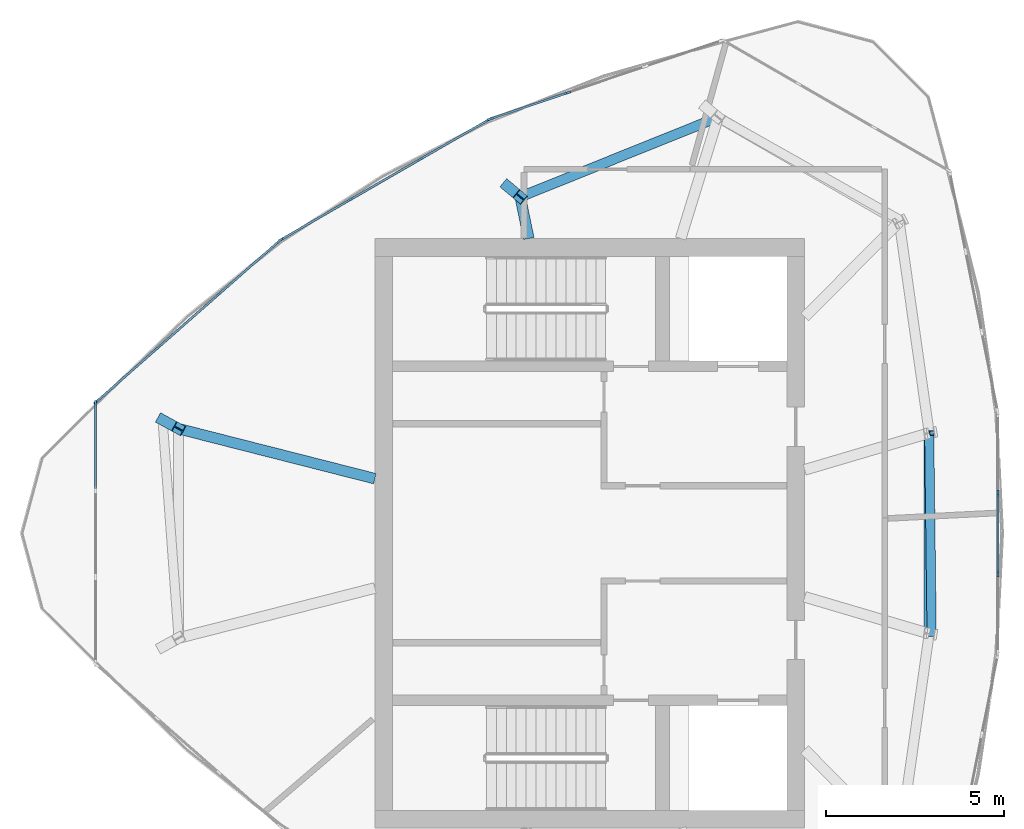
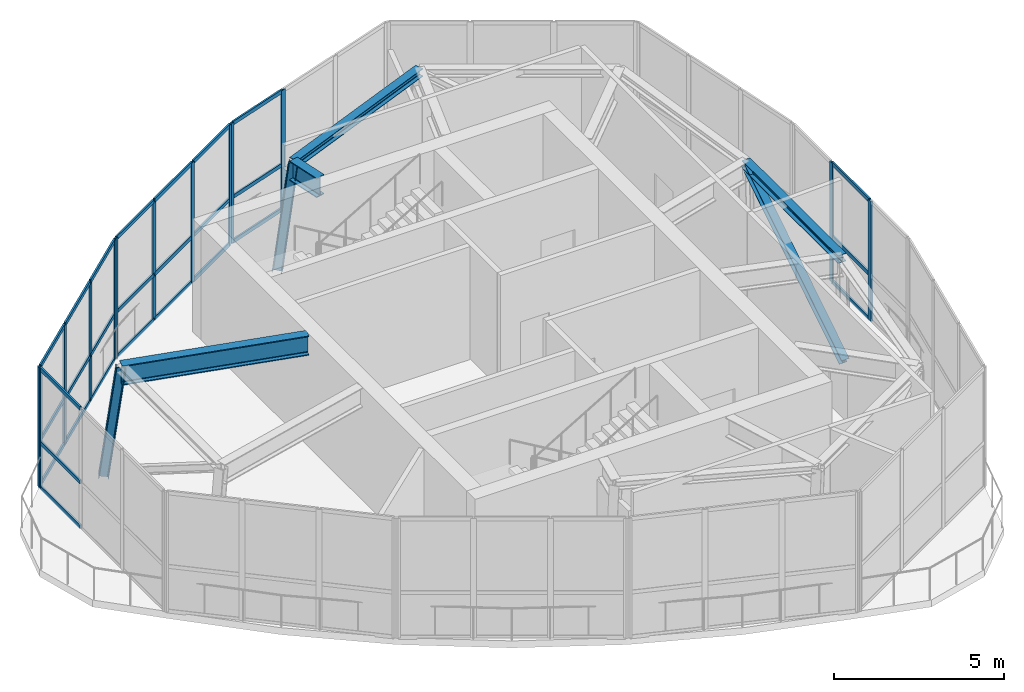
# One storey, part 3 of 10: 45 members, 2 beams, 5 elements without a shape of their own.
"""IFC4 building model written with IfcOpenShell, lengths in metres."""

from ifc_helpers import new_model, si_unit, direction, frame, origin, origin_2d, place, context, subcontext, project, spatial, rectangle, i_section, extrude, source, transform, mapped, material, layer, layer_set, material_profile, profile_set, type_object, element, aggregate, save


model = new_model("IFC4")

# Units and contexts
model_context = context("Model", 3, precision=1e-05, world=origin(), true_north=direction((0.0, 1.0)))
body_context = subcontext(model_context, "Body", "Model", "MODEL_VIEW")
ifc_project = project(units=[si_unit("LENGTHUNIT", "METRE"), si_unit("AREAUNIT", "SQUARE_METRE"), si_unit("VOLUMEUNIT", "CUBIC_METRE"), si_unit("PLANEANGLEUNIT", "RADIAN"), si_unit("MASSUNIT", "GRAM", prefix="KILO")], contexts=[model_context])

# Site, building, storey
site_placement = place(None, origin())
site = spatial("IfcSite", under=ifc_project, at=site_placement, CompositionType="ELEMENT")
building_placement = place(site_placement, origin())
building = spatial("IfcBuilding", under=site, at=building_placement, Name="Qafzar Sky-Pleat Residences", CompositionType="ELEMENT")
storey_placement = place(building_placement, frame((0.0, 0.0, 270.39990234375)))
storey = spatial("IfcBuildingStorey", under=building, at=storey_placement, Name="L80 Crown", CompositionType="ELEMENT", Elevation=270.39990234375)

# Members
ifc_material_1 = material(Name="Steel S460", Category="steel")
ifc_material_profile_1 = material_profile(ifc_material_1, i_section(OverallWidth=0.300048828125, OverallDepth=0.300048828125, WebThickness=0.010986328125, FlangeThickness=0.01904296875, FilletRadius=0.027099609375, at=origin_2d()), Name="HEB 300")
ifc_profile_set_1 = profile_set([ifc_material_profile_1], Name="Steel S460")
member_type_1 = type_object("IfcMemberType", Name="MEM-CROWN-RIB", PredefinedType="CHORD", material=ifc_profile_set_1)
shared_shape_1 = source(origin(), body_context, "Body", "SweptSolid", [
    extrude(i_section(OverallWidth=0.300048828125, OverallDepth=0.300048828125, WebThickness=0.010986328125, FlangeThickness=0.01904296875, FilletRadius=0.027099609375, at=origin_2d()), origin(), (0.0, 0.0, 1.0), 3.929931640625),
])
member_1_placement = place(storey_placement, frame((18.325927734375, 29.192626953125, 0.0), z_axis=(0.114989295825, -0.063178883768, 0.991355582267), x_axis=(0.481537005697, 0.876425759631, 0.0)))
element("IfcMember", 1, at=member_1_placement, inside=storey, type_object=member_type_1, Name="L80 Crown CROWN FRAME Inclined Rib 1", PredefinedType="CHORD", context=body_context, shape_type="MappedRepresentation", body=[
    mapped(shared_shape_1, transform((0.0, 0.0, 0.0), x_axis=(1.0, 0.0, 0.0), y_axis=(0.0, 1.0, 0.0), z_axis=(0.0, 0.0, 1.0), scale=1.0)),
])
shared_shape_2 = source(origin(), body_context, "Body", "SweptSolid", [
    extrude(i_section(OverallWidth=0.300048828125, OverallDepth=0.300048828125, WebThickness=0.010986328125, FlangeThickness=0.01904296875, FilletRadius=0.027099609375, at=origin_2d()), origin(), (0.0, 0.0, 1.0), 3.924560546875),
])
member_2_placement = place(storey_placement, frame((28.029541015625, 35.773193359375, 0.0), z_axis=(0.092503281435, -0.077200115844, 0.992715107691), x_axis=(0.640742862773, 0.767755549511, 0.0)))
element("IfcMember", 2, at=member_2_placement, inside=storey, type_object=member_type_1, Name="L80 Crown CROWN FRAME Inclined Rib 11", PredefinedType="CHORD", context=body_context, shape_type="MappedRepresentation", body=[
    mapped(shared_shape_2, transform((0.0, 0.0, 0.0), x_axis=(1.0, 0.0, 0.0), y_axis=(0.0, 1.0, 0.0), z_axis=(0.0, 0.0, 1.0), scale=1.0)),
])
ifc_material_2 = material(Name="Steel S355", Category="steel")
ifc_material_profile_2 = material_profile(ifc_material_2, i_section(OverallWidth=0.280029296875, OverallDepth=0.280029296875, WebThickness=0.010498046875, FlangeThickness=0.01806640625, FilletRadius=0.02392578125, at=origin_2d()), Name="HEB 280")
ifc_profile_set_2 = profile_set([ifc_material_profile_2], Name="Steel S355")
member_type_2 = type_object("IfcMemberType", Name="MEM-CROWN-RING", PredefinedType="PURLIN", material=ifc_profile_set_2)
shared_shape_3 = source(origin(), body_context, "Body", "SweptSolid", [
    extrude(i_section(OverallWidth=0.280029296875, OverallDepth=0.280029296875, WebThickness=0.010498046875, FlangeThickness=0.01806640625, FilletRadius=0.02392578125, at=origin_2d()), origin(), (0.0, 0.0, 1.0), 6.00244140625),
])
member_3_placement = place(storey_placement, frame((33.961181640625, 37.710693359375, 3.906005859375), z_axis=(-0.927725846294, -0.373262312747, 0.0), x_axis=(0.373262312747, -0.927725846294, 0.0)))
element("IfcMember", 3, at=member_3_placement, inside=storey, type_object=member_type_2, Name="L80 Crown CROWN FRAME Ring Beam 10", PredefinedType="PURLIN", context=body_context, shape_type="MappedRepresentation", body=[
    mapped(shared_shape_3, transform((0.0, 0.0, 0.0), x_axis=(1.0, 0.0, 0.0), y_axis=(0.0, 1.0, 0.0), z_axis=(0.0, 0.0, 1.0), scale=1.0)),
])
shared_shape_4 = source(origin(), body_context, "Body", "SweptSolid", [
    extrude(i_section(OverallWidth=0.280029296875, OverallDepth=0.280029296875, WebThickness=0.010498046875, FlangeThickness=0.01806640625, FilletRadius=0.02392578125, at=origin_2d()), origin(), (0.0, 0.0, 1.0), 5.64697265625),
])
member_4_placement = place(storey_placement, frame((39.905029296875, 23.176513671875, 3.906005859375), z_axis=(0.0, 1.0, 0.0), x_axis=(-1.0, 0.0, 0.0)))
element("IfcMember", 4, at=member_4_placement, inside=storey, type_object=member_type_2, Name="L80 Crown CROWN FRAME Ring Beam 7", PredefinedType="PURLIN", context=body_context, shape_type="MappedRepresentation", body=[
    mapped(shared_shape_4, transform((0.0, 0.0, 0.0), x_axis=(1.0, 0.0, 0.0), y_axis=(0.0, 1.0, 0.0), z_axis=(0.0, 0.0, 1.0), scale=1.0)),
])
ifc_material_profile_3 = material_profile(ifc_material_2, i_section(OverallWidth=0.260009765625, OverallDepth=0.260009765625, WebThickness=0.010009765625, FlangeThickness=0.017578125, FilletRadius=0.02392578125, at=origin_2d()), Name="HEB 260")
ifc_profile_set_3 = profile_set([ifc_material_profile_3], Name="Steel S355")
member_type_3 = type_object("IfcMemberType", Name="MEM-CROWN-DIAG", PredefinedType="BRACE", material=ifc_profile_set_3)
shared_shape_5 = source(origin(), body_context, "Body", "SweptSolid", [
    extrude(i_section(OverallWidth=0.260009765625, OverallDepth=0.260009765625, WebThickness=0.010009765625, FlangeThickness=0.017578125, FilletRadius=0.02392578125, at=origin_2d()), origin(), (0.0, 0.0, 1.0), 6.76953125),
])
member_5_placement = place(storey_placement, frame((39.9736328125, 23.165283203125, 0.2001953125), z_axis=(-0.010134079004, 0.835827099596, 0.548899225745), x_axis=(-0.999926504999, -0.012123720569, 0.0)))
element("IfcMember", 5, at=member_5_placement, inside=storey, type_object=member_type_3, Name="L80 Crown CROWN FRAME Wind Brace 7", PredefinedType="BRACE", context=body_context, shape_type="MappedRepresentation", body=[
    mapped(shared_shape_5, transform((0.0, 0.0, 0.0), x_axis=(1.0, 0.0, 0.0), y_axis=(0.0, 1.0, 0.0), z_axis=(0.0, 0.0, 1.0), scale=1.0)),
])

# Beams
ifc_material_profile_4 = material_profile(ifc_material_1, i_section(OverallWidth=0.300048828125, OverallDepth=0.699951171875, WebThickness=0.01708984375, FlangeThickness=0.031982421875, FilletRadius=0.027099609375, at=origin_2d()), Name="HEB 700")
ifc_profile_set_4 = profile_set([ifc_material_profile_4], Name="Steel S460")
beam_type = type_object("IfcBeamType", Name="BM-CHORD-HEB700", PredefinedType="BEAM", material=ifc_profile_set_4)
shared_shape_6 = source(origin(), body_context, "Body", "SweptSolid", [
    extrude(i_section(OverallWidth=0.300048828125, OverallDepth=0.699951171875, WebThickness=0.01708984375, FlangeThickness=0.031982421875, FilletRadius=0.027099609375, at=origin_2d()), origin(), (0.0, 0.0, 1.0), 5.6982421875),
])
beam_1_placement = place(storey_placement, frame((18.77783203125, 28.9443359375, 3.697998046875), z_axis=(0.969123426461, -0.246576122697, 0.0), x_axis=(0.246576122697, 0.969123426461, 0.0)))
element("IfcBeam", 6, at=beam_1_placement, inside=storey, type_object=beam_type, Name="L81 Crown Crown Rib Base Transfer Beam 1", PredefinedType="BEAM", context=body_context, shape_type="MappedRepresentation", body=[
    mapped(shared_shape_6, transform((0.0, 0.0, 0.0), x_axis=(1.0, 0.0, 0.0), y_axis=(0.0, 1.0, 0.0), z_axis=(0.0, 0.0, 1.0), scale=1.0)),
])
shared_shape_7 = source(origin(), body_context, "Body", "SweptSolid", [
    extrude(i_section(OverallWidth=0.300048828125, OverallDepth=0.699951171875, WebThickness=0.01708984375, FlangeThickness=0.031982421875, FilletRadius=0.027099609375, at=origin_2d()), origin(), (0.0, 0.0, 1.0), 1.19482421875),
])
beam_2_placement = place(storey_placement, frame((28.392578125, 35.47021484375, 3.697998046875), z_axis=(0.202477234952, -0.979286969854, 0.0), x_axis=(0.979286969854, 0.202477234952, 0.0)))
element("IfcBeam", 7, at=beam_2_placement, inside=storey, type_object=beam_type, Name="L81 Crown Crown Rib Base Transfer Beam 11", PredefinedType="BEAM", context=body_context, shape_type="MappedRepresentation", body=[
    mapped(shared_shape_7, transform((0.0, 0.0, 0.0), x_axis=(1.0, 0.0, 0.0), y_axis=(0.0, 1.0, 0.0), z_axis=(0.0, 0.0, 1.0), scale=1.0)),
])

# Curtain wall, member
ifc_material_3 = material(Name="Anodised bronze aluminium framing", Category="aluminium")
ifc_layer = layer(ifc_material_3, 0.179931640625)
ifc_layer_set = layer_set([ifc_layer], Name="Anodised bronze aluminium framing")
curtain_wall_type = type_object("IfcCurtainWallType", Name="CW-SYS-06", PredefinedType="NOTDEFINED", material=ifc_layer_set)
curtain_wall_1_placement = place(storey_placement, origin())
curtain_wall_1 = element("IfcCurtainWall", 8, at=curtain_wall_1_placement, inside=storey, type_object=curtain_wall_type, Name="L80 Crown CW-06 Curtain Wall CW-CROWN-05-01", PredefinedType="NOTDEFINED")
ifc_material_4 = material(Name="Anodised bronze aluminium", Category="aluminium")
ifc_material_profile_5 = material_profile(ifc_material_4, rectangle(XDim=0.06005859375, YDim=0.179931640625, at=origin_2d()), Name="ALU MULLION 60x180")
ifc_profile_set_5 = profile_set([ifc_material_profile_5], Name="Anodised bronze aluminium")
member_type_4 = type_object("IfcMemberType", Name="CWM-06", PredefinedType="MULLION", material=ifc_profile_set_5)
shared_shape_8 = source(origin(), body_context, "Body", "SweptSolid", [
    extrude(rectangle(XDim=0.06005859375, YDim=0.179931640625, at=origin_2d()), origin(), (0.0, 0.0, 1.0), 4.300048828125),
])
member_6_placement = place(storey_placement, frame((16.438720703125, 29.653564453125, 0.0), z_axis=(0.0, 0.0, 1.0), x_axis=(1.0, 0.0, 0.0)))
member_6 = element("IfcMember", 9, at=member_6_placement, type_object=member_type_4, Name="CW-06 mullion 1", PredefinedType="MULLION", context=body_context, shape_type="MappedRepresentation", body=[
    mapped(shared_shape_8, transform((0.0, 0.0, 0.0), x_axis=(1.0, 0.0, 0.0), y_axis=(0.0, 1.0, 0.0), z_axis=(0.0, 0.0, 1.0), scale=1.0)),
])

# Curtain wall, members
curtain_wall_2_placement = place(storey_placement, origin())
curtain_wall_2 = element("IfcCurtainWall", 10, at=curtain_wall_2_placement, inside=storey, type_object=curtain_wall_type, Name="L80 Crown CW-06 Curtain Wall CW-CROWN-05-07", PredefinedType="NOTDEFINED")
member_7_placement = place(storey_placement, frame((41.840087890625, 24.866943359375, 0.0), z_axis=(0.0, 0.0, 1.0), x_axis=(-1.0, 0.0, 0.0)))
member_7 = element("IfcMember", 11, at=member_7_placement, type_object=member_type_4, Name="CW-06 mullion 2", PredefinedType="MULLION", context=body_context, shape_type="MappedRepresentation", body=[
    mapped(shared_shape_8, transform((0.0, 0.0, 0.0), x_axis=(1.0, 0.0, 0.0), y_axis=(0.0, 1.0, 0.0), z_axis=(0.0, 0.0, 1.0), scale=1.0)),
])
member_8_placement = place(storey_placement, frame((41.840087890625, 27.133056640625, 0.0), z_axis=(0.0, 0.0, 1.0), x_axis=(-1.0, 0.0, 0.0)))
member_8 = element("IfcMember", 12, at=member_8_placement, type_object=member_type_4, Name="CW-06 mullion 3", PredefinedType="MULLION", context=body_context, shape_type="MappedRepresentation", body=[
    mapped(shared_shape_8, transform((0.0, 0.0, 0.0), x_axis=(1.0, 0.0, 0.0), y_axis=(0.0, 1.0, 0.0), z_axis=(0.0, 0.0, 1.0), scale=1.0)),
])

curtain_wall_3_placement = place(storey_placement, origin())
curtain_wall_3 = element("IfcCurtainWall", 13, at=curtain_wall_3_placement, inside=storey, type_object=curtain_wall_type, Name="L80 Crown CW-06 Curtain Wall CW-CROWN-05-10", PredefinedType="NOTDEFINED")
member_9_placement = place(storey_placement, frame((29.722412109375, 38.3994140625, 0.0), z_axis=(0.0, 0.0, 1.0), x_axis=(0.320439473508, -0.947268992324, 0.0)))
member_9 = element("IfcMember", 14, at=member_9_placement, type_object=member_type_4, Name="CW-06 mullion 3", PredefinedType="MULLION", context=body_context, shape_type="MappedRepresentation", body=[
    mapped(shared_shape_8, transform((0.0, 0.0, 0.0), x_axis=(1.0, 0.0, 0.0), y_axis=(0.0, 1.0, 0.0), z_axis=(0.0, 0.0, 1.0), scale=1.0)),
])
member_10_placement = place(storey_placement, frame((27.56201171875, 37.668701171875, 0.0), z_axis=(0.0, 0.0, 1.0), x_axis=(0.320439473508, -0.947268992324, 0.0)))
member_10 = element("IfcMember", 15, at=member_10_placement, type_object=member_type_4, Name="CW-06 mullion 4", PredefinedType="MULLION", context=body_context, shape_type="MappedRepresentation", body=[
    mapped(shared_shape_8, transform((0.0, 0.0, 0.0), x_axis=(1.0, 0.0, 0.0), y_axis=(0.0, 1.0, 0.0), z_axis=(0.0, 0.0, 1.0), scale=1.0)),
])

curtain_wall_4_placement = place(storey_placement, origin())
curtain_wall_4 = element("IfcCurtainWall", 16, at=curtain_wall_4_placement, inside=storey, type_object=curtain_wall_type, Name="L80 Crown CW-06 Curtain Wall CW-CROWN-05-11", PredefinedType="NOTDEFINED")
member_11_placement = place(storey_placement, frame((27.507568359375, 37.64404296875, 0.0), z_axis=(0.0, 0.0, 1.0), x_axis=(0.500002592159, -0.866023907196, 0.0)))
member_11 = element("IfcMember", 17, at=member_11_placement, type_object=member_type_4, Name="CW-06 mullion 1", PredefinedType="MULLION", context=body_context, shape_type="MappedRepresentation", body=[
    mapped(shared_shape_8, transform((0.0, 0.0, 0.0), x_axis=(1.0, 0.0, 0.0), y_axis=(0.0, 1.0, 0.0), z_axis=(0.0, 0.0, 1.0), scale=1.0)),
])
member_12_placement = place(storey_placement, frame((25.571044921875, 36.52587890625, 0.0), z_axis=(0.0, 0.0, 1.0), x_axis=(0.500002592159, -0.866023907196, 0.0)))
member_12 = element("IfcMember", 18, at=member_12_placement, type_object=member_type_4, Name="CW-06 mullion 2", PredefinedType="MULLION", context=body_context, shape_type="MappedRepresentation", body=[
    mapped(shared_shape_8, transform((0.0, 0.0, 0.0), x_axis=(1.0, 0.0, 0.0), y_axis=(0.0, 1.0, 0.0), z_axis=(0.0, 0.0, 1.0), scale=1.0)),
])
member_13_placement = place(storey_placement, frame((23.608642578125, 35.39306640625, 0.0), z_axis=(0.0, 0.0, 1.0), x_axis=(0.500002592159, -0.866023907196, 0.0)))
member_13 = element("IfcMember", 19, at=member_13_placement, type_object=member_type_4, Name="CW-06 mullion 3", PredefinedType="MULLION", context=body_context, shape_type="MappedRepresentation", body=[
    mapped(shared_shape_8, transform((0.0, 0.0, 0.0), x_axis=(1.0, 0.0, 0.0), y_axis=(0.0, 1.0, 0.0), z_axis=(0.0, 0.0, 1.0), scale=1.0)),
])
member_14_placement = place(storey_placement, frame((21.67236328125, 34.27490234375, 0.0), z_axis=(0.0, 0.0, 1.0), x_axis=(0.500002592159, -0.866023907196, 0.0)))
member_14 = element("IfcMember", 20, at=member_14_placement, type_object=member_type_4, Name="CW-06 mullion 4", PredefinedType="MULLION", context=body_context, shape_type="MappedRepresentation", body=[
    mapped(shared_shape_8, transform((0.0, 0.0, 0.0), x_axis=(1.0, 0.0, 0.0), y_axis=(0.0, 1.0, 0.0), z_axis=(0.0, 0.0, 1.0), scale=1.0)),
])

curtain_wall_5_placement = place(storey_placement, origin())
curtain_wall_5 = element("IfcCurtainWall", 21, at=curtain_wall_5_placement, inside=storey, type_object=curtain_wall_type, Name="L80 Crown CW-06 Curtain Wall CW-CROWN-05-12", PredefinedType="NOTDEFINED")
member_15_placement = place(storey_placement, frame((21.623779296875, 34.240234375, 0.0), z_axis=(0.0, 0.0, 1.0), x_axis=(0.660131871965, -0.751149726497, 0.0)))
member_15 = element("IfcMember", 22, at=member_15_placement, type_object=member_type_4, Name="CW-06 mullion 1", PredefinedType="MULLION", context=body_context, shape_type="MappedRepresentation", body=[
    mapped(shared_shape_8, transform((0.0, 0.0, 0.0), x_axis=(1.0, 0.0, 0.0), y_axis=(0.0, 1.0, 0.0), z_axis=(0.0, 0.0, 1.0), scale=1.0)),
])
member_16_placement = place(storey_placement, frame((19.910400390625, 32.734619140625, 0.0), z_axis=(0.0, 0.0, 1.0), x_axis=(0.660131871965, -0.751149726497, 0.0)))
member_16 = element("IfcMember", 23, at=member_16_placement, type_object=member_type_4, Name="CW-06 mullion 2", PredefinedType="MULLION", context=body_context, shape_type="MappedRepresentation", body=[
    mapped(shared_shape_8, transform((0.0, 0.0, 0.0), x_axis=(1.0, 0.0, 0.0), y_axis=(0.0, 1.0, 0.0), z_axis=(0.0, 0.0, 1.0), scale=1.0)),
])
member_17_placement = place(storey_placement, frame((18.174560546875, 31.208984375, 0.0), z_axis=(0.0, 0.0, 1.0), x_axis=(0.660131871965, -0.751149726497, 0.0)))
member_17 = element("IfcMember", 24, at=member_17_placement, type_object=member_type_4, Name="CW-06 mullion 3", PredefinedType="MULLION", context=body_context, shape_type="MappedRepresentation", body=[
    mapped(shared_shape_8, transform((0.0, 0.0, 0.0), x_axis=(1.0, 0.0, 0.0), y_axis=(0.0, 1.0, 0.0), z_axis=(0.0, 0.0, 1.0), scale=1.0)),
])
member_18_placement = place(storey_placement, frame((16.46142578125, 29.703369140625, 0.0), z_axis=(0.0, 0.0, 1.0), x_axis=(0.660131871965, -0.751149726497, 0.0)))
member_18 = element("IfcMember", 25, at=member_18_placement, type_object=member_type_4, Name="CW-06 mullion 4", PredefinedType="MULLION", context=body_context, shape_type="MappedRepresentation", body=[
    mapped(shared_shape_8, transform((0.0, 0.0, 0.0), x_axis=(1.0, 0.0, 0.0), y_axis=(0.0, 1.0, 0.0), z_axis=(0.0, 0.0, 1.0), scale=1.0)),
])

# Member
ifc_material_profile_6 = material_profile(ifc_material_4, rectangle(XDim=0.06005859375, YDim=0.135009765625, at=origin_2d()), Name="ALU TRANSOM 60x135")
ifc_profile_set_6 = profile_set([ifc_material_profile_6], Name="Anodised bronze aluminium")
member_type_5 = type_object("IfcMemberType", Name="CWT-06", PredefinedType="USERDEFINED", material=ifc_profile_set_6)
shared_shape_9 = source(origin(), body_context, "Body", "SweptSolid", [
    extrude(rectangle(XDim=0.06005859375, YDim=0.135009765625, at=origin_2d()), origin(), (0.0, 0.0, 1.0), 2.36572265625),
])
member_19_placement = place(storey_placement, frame((16.438720703125, 29.62353515625, 0.030029296875), z_axis=(0.0, -1.0, 0.0), x_axis=(1.0, 0.0, 0.0)))
member_19 = element("IfcMember", 26, at=member_19_placement, type_object=member_type_5, Name="CW-06 transom 1.1", ObjectType="TRANSOM", PredefinedType="USERDEFINED", context=body_context, shape_type="MappedRepresentation", body=[
    mapped(shared_shape_9, transform((0.0, 0.0, 0.0), x_axis=(1.0, 0.0, 0.0), y_axis=(0.0, 1.0, 0.0), z_axis=(0.0, 0.0, 1.0), scale=1.0)),
])

member_20_placement = place(storey_placement, frame((16.438720703125, 29.62353515625, 1.634033203125), z_axis=(0.0, -1.0, 0.0), x_axis=(1.0, 0.0, 0.0)))
member_20 = element("IfcMember", 27, at=member_20_placement, type_object=member_type_5, Name="CW-06 transom 1.2", ObjectType="TRANSOM", PredefinedType="USERDEFINED", context=body_context, shape_type="MappedRepresentation", body=[
    mapped(shared_shape_9, transform((0.0, 0.0, 0.0), x_axis=(1.0, 0.0, 0.0), y_axis=(0.0, 1.0, 0.0), z_axis=(0.0, 0.0, 1.0), scale=1.0)),
])

member_21_placement = place(storey_placement, frame((16.438720703125, 29.62353515625, 4.27001953125), z_axis=(0.0, -1.0, 0.0), x_axis=(1.0, 0.0, 0.0)))
member_21 = element("IfcMember", 28, at=member_21_placement, type_object=member_type_5, Name="CW-06 transom 1.3", ObjectType="TRANSOM", PredefinedType="USERDEFINED", context=body_context, shape_type="MappedRepresentation", body=[
    mapped(shared_shape_9, transform((0.0, 0.0, 0.0), x_axis=(1.0, 0.0, 0.0), y_axis=(0.0, 1.0, 0.0), z_axis=(0.0, 0.0, 1.0), scale=1.0)),
])

aggregate(curtain_wall_1, [member_6, member_19, member_20, member_21])

shared_shape_10 = source(origin(), body_context, "Body", "SweptSolid", [
    extrude(rectangle(XDim=0.06005859375, YDim=0.135009765625, at=origin_2d()), origin(), (0.0, 0.0, 1.0), 2.220947265625),
])
member_22_placement = place(storey_placement, frame((29.694091796875, 38.389892578125, 0.030029296875), z_axis=(-0.947266802328, -0.320445947405, 0.0), x_axis=(0.320445947405, -0.947266802328, 0.0)))
member_22 = element("IfcMember", 29, at=member_22_placement, type_object=member_type_5, Name="CW-06 transom 3.1", ObjectType="TRANSOM", PredefinedType="USERDEFINED", context=body_context, shape_type="MappedRepresentation", body=[
    mapped(shared_shape_10, transform((0.0, 0.0, 0.0), x_axis=(1.0, 0.0, 0.0), y_axis=(0.0, 1.0, 0.0), z_axis=(0.0, 0.0, 1.0), scale=1.0)),
])

member_23_placement = place(storey_placement, frame((29.694091796875, 38.389892578125, 1.634033203125), z_axis=(-0.947266802328, -0.320445947405, 0.0), x_axis=(0.320445947405, -0.947266802328, 0.0)))
member_23 = element("IfcMember", 30, at=member_23_placement, type_object=member_type_5, Name="CW-06 transom 3.2", ObjectType="TRANSOM", PredefinedType="USERDEFINED", context=body_context, shape_type="MappedRepresentation", body=[
    mapped(shared_shape_10, transform((0.0, 0.0, 0.0), x_axis=(1.0, 0.0, 0.0), y_axis=(0.0, 1.0, 0.0), z_axis=(0.0, 0.0, 1.0), scale=1.0)),
])

member_24_placement = place(storey_placement, frame((29.694091796875, 38.389892578125, 4.27001953125), z_axis=(-0.947266802328, -0.320445947405, 0.0), x_axis=(0.320445947405, -0.947266802328, 0.0)))
member_24 = element("IfcMember", 31, at=member_24_placement, type_object=member_type_5, Name="CW-06 transom 3.3", ObjectType="TRANSOM", PredefinedType="USERDEFINED", context=body_context, shape_type="MappedRepresentation", body=[
    mapped(shared_shape_10, transform((0.0, 0.0, 0.0), x_axis=(1.0, 0.0, 0.0), y_axis=(0.0, 1.0, 0.0), z_axis=(0.0, 0.0, 1.0), scale=1.0)),
])

aggregate(curtain_wall_3, [member_9, member_10, member_22, member_23, member_24])

member_25_placement = place(storey_placement, frame((21.601318359375, 34.220458984375, 0.030029296875), z_axis=(-0.751151683916, -0.660129644653, 0.0), x_axis=(0.660129644653, -0.751151683916, 0.0)))
member_25 = element("IfcMember", 32, at=member_25_placement, type_object=member_type_5, Name="CW-06 transom 1.1", ObjectType="TRANSOM", PredefinedType="USERDEFINED", context=body_context, shape_type="MappedRepresentation", body=[
    mapped(shared_shape_10, transform((0.0, 0.0, 0.0), x_axis=(1.0, 0.0, 0.0), y_axis=(0.0, 1.0, 0.0), z_axis=(0.0, 0.0, 1.0), scale=1.0)),
])

member_26_placement = place(storey_placement, frame((21.601318359375, 34.220458984375, 1.634033203125), z_axis=(-0.751151683916, -0.660129644653, 0.0), x_axis=(0.660129644653, -0.751151683916, 0.0)))
member_26 = element("IfcMember", 33, at=member_26_placement, type_object=member_type_5, Name="CW-06 transom 1.2", ObjectType="TRANSOM", PredefinedType="USERDEFINED", context=body_context, shape_type="MappedRepresentation", body=[
    mapped(shared_shape_10, transform((0.0, 0.0, 0.0), x_axis=(1.0, 0.0, 0.0), y_axis=(0.0, 1.0, 0.0), z_axis=(0.0, 0.0, 1.0), scale=1.0)),
])

member_27_placement = place(storey_placement, frame((21.601318359375, 34.220458984375, 4.27001953125), z_axis=(-0.751151683916, -0.660129644653, 0.0), x_axis=(0.660129644653, -0.751151683916, 0.0)))
member_27 = element("IfcMember", 34, at=member_27_placement, type_object=member_type_5, Name="CW-06 transom 1.3", ObjectType="TRANSOM", PredefinedType="USERDEFINED", context=body_context, shape_type="MappedRepresentation", body=[
    mapped(shared_shape_10, transform((0.0, 0.0, 0.0), x_axis=(1.0, 0.0, 0.0), y_axis=(0.0, 1.0, 0.0), z_axis=(0.0, 0.0, 1.0), scale=1.0)),
])

member_28_placement = place(storey_placement, frame((18.152099609375, 31.189208984375, 0.030029296875), z_axis=(-0.751151683916, -0.660129644653, 0.0), x_axis=(0.660129644653, -0.751151683916, 0.0)))
member_28 = element("IfcMember", 35, at=member_28_placement, type_object=member_type_5, Name="CW-06 transom 3.1", ObjectType="TRANSOM", PredefinedType="USERDEFINED", context=body_context, shape_type="MappedRepresentation", body=[
    mapped(shared_shape_10, transform((0.0, 0.0, 0.0), x_axis=(1.0, 0.0, 0.0), y_axis=(0.0, 1.0, 0.0), z_axis=(0.0, 0.0, 1.0), scale=1.0)),
])

member_29_placement = place(storey_placement, frame((18.152099609375, 31.189208984375, 1.634033203125), z_axis=(-0.751151683916, -0.660129644653, 0.0), x_axis=(0.660129644653, -0.751151683916, 0.0)))
member_29 = element("IfcMember", 36, at=member_29_placement, type_object=member_type_5, Name="CW-06 transom 3.2", ObjectType="TRANSOM", PredefinedType="USERDEFINED", context=body_context, shape_type="MappedRepresentation", body=[
    mapped(shared_shape_10, transform((0.0, 0.0, 0.0), x_axis=(1.0, 0.0, 0.0), y_axis=(0.0, 1.0, 0.0), z_axis=(0.0, 0.0, 1.0), scale=1.0)),
])

member_30_placement = place(storey_placement, frame((18.152099609375, 31.189208984375, 4.27001953125), z_axis=(-0.751151683916, -0.660129644653, 0.0), x_axis=(0.660129644653, -0.751151683916, 0.0)))
member_30 = element("IfcMember", 37, at=member_30_placement, type_object=member_type_5, Name="CW-06 transom 3.3", ObjectType="TRANSOM", PredefinedType="USERDEFINED", context=body_context, shape_type="MappedRepresentation", body=[
    mapped(shared_shape_10, transform((0.0, 0.0, 0.0), x_axis=(1.0, 0.0, 0.0), y_axis=(0.0, 1.0, 0.0), z_axis=(0.0, 0.0, 1.0), scale=1.0)),
])

shared_shape_11 = source(origin(), body_context, "Body", "SweptSolid", [
    extrude(rectangle(XDim=0.06005859375, YDim=0.135009765625, at=origin_2d()), origin(), (0.0, 0.0, 1.0), 2.250732421875),
])
member_31_placement = place(storey_placement, frame((19.887939453125, 32.714599609375, 0.030029296875), z_axis=(-0.751143710193, -0.660138717723, 0.0), x_axis=(0.660138717723, -0.751143710193, 0.0)))
member_31 = element("IfcMember", 38, at=member_31_placement, type_object=member_type_5, Name="CW-06 transom 2.1", ObjectType="TRANSOM", PredefinedType="USERDEFINED", context=body_context, shape_type="MappedRepresentation", body=[
    mapped(shared_shape_11, transform((0.0, 0.0, 0.0), x_axis=(1.0, 0.0, 0.0), y_axis=(0.0, 1.0, 0.0), z_axis=(0.0, 0.0, 1.0), scale=1.0)),
])

member_32_placement = place(storey_placement, frame((19.887939453125, 32.714599609375, 1.634033203125), z_axis=(-0.751143710193, -0.660138717723, 0.0), x_axis=(0.660138717723, -0.751143710193, 0.0)))
member_32 = element("IfcMember", 39, at=member_32_placement, type_object=member_type_5, Name="CW-06 transom 2.2", ObjectType="TRANSOM", PredefinedType="USERDEFINED", context=body_context, shape_type="MappedRepresentation", body=[
    mapped(shared_shape_11, transform((0.0, 0.0, 0.0), x_axis=(1.0, 0.0, 0.0), y_axis=(0.0, 1.0, 0.0), z_axis=(0.0, 0.0, 1.0), scale=1.0)),
])

member_33_placement = place(storey_placement, frame((19.887939453125, 32.714599609375, 4.27001953125), z_axis=(-0.751143710193, -0.660138717723, 0.0), x_axis=(0.660138717723, -0.751143710193, 0.0)))
member_33 = element("IfcMember", 40, at=member_33_placement, type_object=member_type_5, Name="CW-06 transom 2.3", ObjectType="TRANSOM", PredefinedType="USERDEFINED", context=body_context, shape_type="MappedRepresentation", body=[
    mapped(shared_shape_11, transform((0.0, 0.0, 0.0), x_axis=(1.0, 0.0, 0.0), y_axis=(0.0, 1.0, 0.0), z_axis=(0.0, 0.0, 1.0), scale=1.0)),
])

aggregate(curtain_wall_5, [member_15, member_16, member_17, member_18, member_25, member_26, member_27, member_31, member_32, member_33, member_28, member_29, member_30])

shared_shape_12 = source(origin(), body_context, "Body", "SweptSolid", [
    extrude(rectangle(XDim=0.06005859375, YDim=0.135009765625, at=origin_2d()), origin(), (0.0, 0.0, 1.0), 2.176025390625),
])
member_34_placement = place(storey_placement, frame((23.582763671875, 35.3779296875, 0.030029296875), z_axis=(-0.866052935793, -0.49995231013, 0.0), x_axis=(0.49995231013, -0.866052935793, 0.0)))
member_34 = element("IfcMember", 41, at=member_34_placement, type_object=member_type_5, Name="CW-06 transom 3.1", ObjectType="TRANSOM", PredefinedType="USERDEFINED", context=body_context, shape_type="MappedRepresentation", body=[
    mapped(shared_shape_12, transform((0.0, 0.0, 0.0), x_axis=(1.0, 0.0, 0.0), y_axis=(0.0, 1.0, 0.0), z_axis=(0.0, 0.0, 1.0), scale=1.0)),
])

member_35_placement = place(storey_placement, frame((23.582763671875, 35.3779296875, 1.634033203125), z_axis=(-0.866052935793, -0.49995231013, 0.0), x_axis=(0.49995231013, -0.866052935793, 0.0)))
member_35 = element("IfcMember", 42, at=member_35_placement, type_object=member_type_5, Name="CW-06 transom 3.2", ObjectType="TRANSOM", PredefinedType="USERDEFINED", context=body_context, shape_type="MappedRepresentation", body=[
    mapped(shared_shape_12, transform((0.0, 0.0, 0.0), x_axis=(1.0, 0.0, 0.0), y_axis=(0.0, 1.0, 0.0), z_axis=(0.0, 0.0, 1.0), scale=1.0)),
])

member_36_placement = place(storey_placement, frame((23.582763671875, 35.3779296875, 4.27001953125), z_axis=(-0.866052935793, -0.49995231013, 0.0), x_axis=(0.49995231013, -0.866052935793, 0.0)))
member_36 = element("IfcMember", 43, at=member_36_placement, type_object=member_type_5, Name="CW-06 transom 3.3", ObjectType="TRANSOM", PredefinedType="USERDEFINED", context=body_context, shape_type="MappedRepresentation", body=[
    mapped(shared_shape_12, transform((0.0, 0.0, 0.0), x_axis=(1.0, 0.0, 0.0), y_axis=(0.0, 1.0, 0.0), z_axis=(0.0, 0.0, 1.0), scale=1.0)),
])

shared_shape_13 = source(origin(), body_context, "Body", "SweptSolid", [
    extrude(rectangle(XDim=0.06005859375, YDim=0.135009765625, at=origin_2d()), origin(), (0.0, 0.0, 1.0), 2.2060546875),
])
member_37_placement = place(storey_placement, frame((41.840087890625, 24.89697265625, 0.030029296875), z_axis=(0.0, 1.0, 0.0), x_axis=(-1.0, 0.0, 0.0)))
member_37 = element("IfcMember", 44, at=member_37_placement, type_object=member_type_5, Name="CW-06 transom 2.1", ObjectType="TRANSOM", PredefinedType="USERDEFINED", context=body_context, shape_type="MappedRepresentation", body=[
    mapped(shared_shape_13, transform((0.0, 0.0, 0.0), x_axis=(1.0, 0.0, 0.0), y_axis=(0.0, 1.0, 0.0), z_axis=(0.0, 0.0, 1.0), scale=1.0)),
])

member_38_placement = place(storey_placement, frame((41.840087890625, 24.89697265625, 1.634033203125), z_axis=(0.0, 1.0, 0.0), x_axis=(-1.0, 0.0, 0.0)))
member_38 = element("IfcMember", 45, at=member_38_placement, type_object=member_type_5, Name="CW-06 transom 2.2", ObjectType="TRANSOM", PredefinedType="USERDEFINED", context=body_context, shape_type="MappedRepresentation", body=[
    mapped(shared_shape_13, transform((0.0, 0.0, 0.0), x_axis=(1.0, 0.0, 0.0), y_axis=(0.0, 1.0, 0.0), z_axis=(0.0, 0.0, 1.0), scale=1.0)),
])

member_39_placement = place(storey_placement, frame((41.840087890625, 24.89697265625, 4.27001953125), z_axis=(0.0, 1.0, 0.0), x_axis=(-1.0, 0.0, 0.0)))
member_39 = element("IfcMember", 46, at=member_39_placement, type_object=member_type_5, Name="CW-06 transom 2.3", ObjectType="TRANSOM", PredefinedType="USERDEFINED", context=body_context, shape_type="MappedRepresentation", body=[
    mapped(shared_shape_13, transform((0.0, 0.0, 0.0), x_axis=(1.0, 0.0, 0.0), y_axis=(0.0, 1.0, 0.0), z_axis=(0.0, 0.0, 1.0), scale=1.0)),
])

aggregate(curtain_wall_2, [member_7, member_8, member_37, member_38, member_39])

member_40_placement = place(storey_placement, frame((25.545166015625, 36.510986328125, 0.030029296875), z_axis=(-0.866014182773, -0.500019434859, 0.0), x_axis=(0.500019434859, -0.866014182773, 0.0)))
member_40 = element("IfcMember", 47, at=member_40_placement, type_object=member_type_5, Name="CW-06 transom 2.1", ObjectType="TRANSOM", PredefinedType="USERDEFINED", context=body_context, shape_type="MappedRepresentation", body=[
    mapped(shared_shape_13, transform((0.0, 0.0, 0.0), x_axis=(1.0, 0.0, 0.0), y_axis=(0.0, 1.0, 0.0), z_axis=(0.0, 0.0, 1.0), scale=1.0)),
])

member_41_placement = place(storey_placement, frame((25.545166015625, 36.510986328125, 1.634033203125), z_axis=(-0.866014182773, -0.500019434859, 0.0), x_axis=(0.500019434859, -0.866014182773, 0.0)))
member_41 = element("IfcMember", 48, at=member_41_placement, type_object=member_type_5, Name="CW-06 transom 2.2", ObjectType="TRANSOM", PredefinedType="USERDEFINED", context=body_context, shape_type="MappedRepresentation", body=[
    mapped(shared_shape_13, transform((0.0, 0.0, 0.0), x_axis=(1.0, 0.0, 0.0), y_axis=(0.0, 1.0, 0.0), z_axis=(0.0, 0.0, 1.0), scale=1.0)),
])

member_42_placement = place(storey_placement, frame((25.545166015625, 36.510986328125, 4.27001953125), z_axis=(-0.866014182773, -0.500019434859, 0.0), x_axis=(0.500019434859, -0.866014182773, 0.0)))
member_42 = element("IfcMember", 49, at=member_42_placement, type_object=member_type_5, Name="CW-06 transom 2.3", ObjectType="TRANSOM", PredefinedType="USERDEFINED", context=body_context, shape_type="MappedRepresentation", body=[
    mapped(shared_shape_13, transform((0.0, 0.0, 0.0), x_axis=(1.0, 0.0, 0.0), y_axis=(0.0, 1.0, 0.0), z_axis=(0.0, 0.0, 1.0), scale=1.0)),
])

shared_shape_14 = source(origin(), body_context, "Body", "SweptSolid", [
    extrude(rectangle(XDim=0.06005859375, YDim=0.135009765625, at=origin_2d()), origin(), (0.0, 0.0, 1.0), 2.17578125),
])
member_43_placement = place(storey_placement, frame((27.4814453125, 37.62890625, 0.030029296875), z_axis=(-0.866024887666, -0.500000893942, 0.0), x_axis=(0.500000893942, -0.866024887666, 0.0)))
member_43 = element("IfcMember", 50, at=member_43_placement, type_object=member_type_5, Name="CW-06 transom 1.1", ObjectType="TRANSOM", PredefinedType="USERDEFINED", context=body_context, shape_type="MappedRepresentation", body=[
    mapped(shared_shape_14, transform((0.0, 0.0, 0.0), x_axis=(1.0, 0.0, 0.0), y_axis=(0.0, 1.0, 0.0), z_axis=(0.0, 0.0, 1.0), scale=1.0)),
])

member_44_placement = place(storey_placement, frame((27.4814453125, 37.62890625, 1.634033203125), z_axis=(-0.866024887666, -0.500000893942, 0.0), x_axis=(0.500000893942, -0.866024887666, 0.0)))
member_44 = element("IfcMember", 51, at=member_44_placement, type_object=member_type_5, Name="CW-06 transom 1.2", ObjectType="TRANSOM", PredefinedType="USERDEFINED", context=body_context, shape_type="MappedRepresentation", body=[
    mapped(shared_shape_14, transform((0.0, 0.0, 0.0), x_axis=(1.0, 0.0, 0.0), y_axis=(0.0, 1.0, 0.0), z_axis=(0.0, 0.0, 1.0), scale=1.0)),
])

member_45_placement = place(storey_placement, frame((27.4814453125, 37.62890625, 4.27001953125), z_axis=(-0.866024887666, -0.500000893942, 0.0), x_axis=(0.500000893942, -0.866024887666, 0.0)))
member_45 = element("IfcMember", 52, at=member_45_placement, type_object=member_type_5, Name="CW-06 transom 1.3", ObjectType="TRANSOM", PredefinedType="USERDEFINED", context=body_context, shape_type="MappedRepresentation", body=[
    mapped(shared_shape_14, transform((0.0, 0.0, 0.0), x_axis=(1.0, 0.0, 0.0), y_axis=(0.0, 1.0, 0.0), z_axis=(0.0, 0.0, 1.0), scale=1.0)),
])

aggregate(curtain_wall_4, [member_11, member_12, member_13, member_14, member_43, member_44, member_45, member_40, member_41, member_42, member_34, member_35, member_36])

save(model, "model.ifc")
